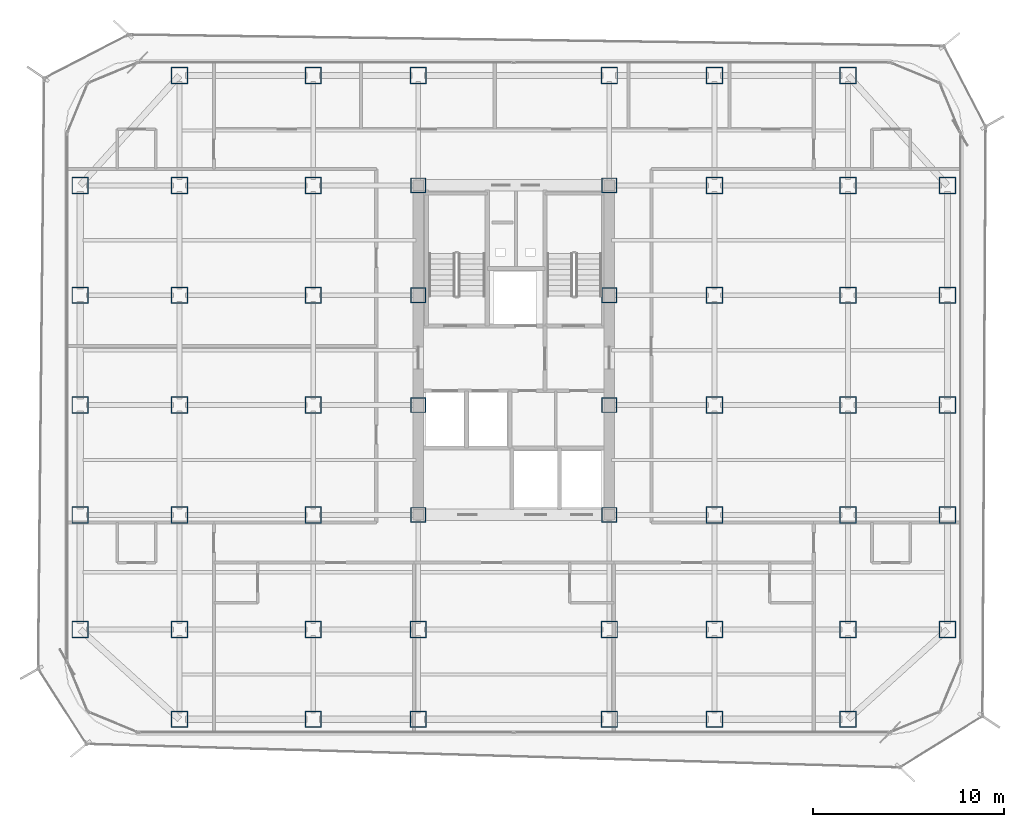
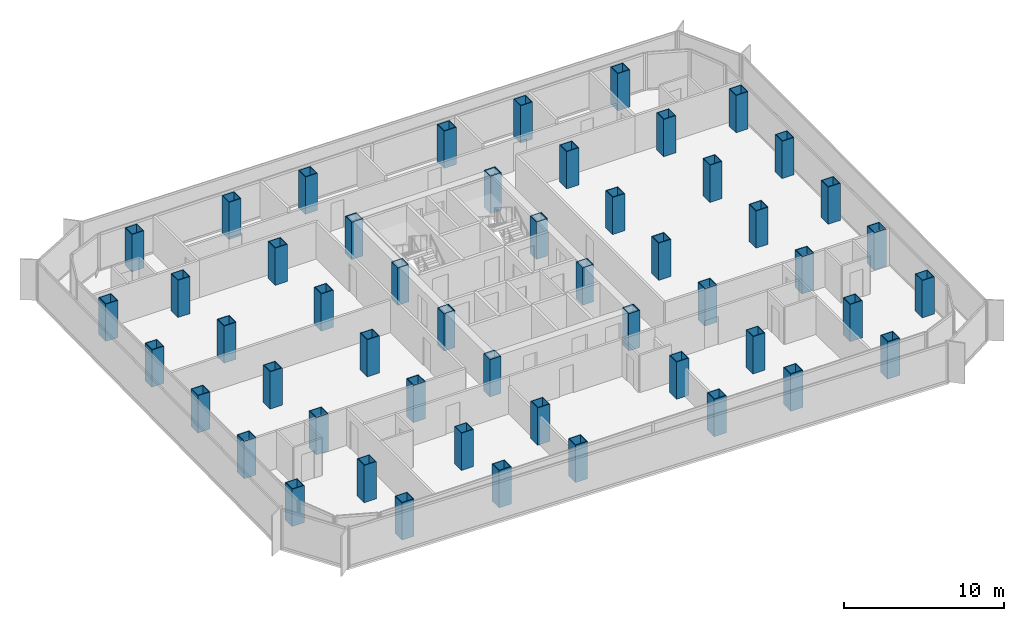
# One storey, part 1 of 21: 52 columns.
"""IFC4 building model written with IfcOpenShell, lengths in metres."""

from ifc_helpers import new_model, si_unit, direction, frame, origin, origin_2d, place, context, subcontext, project, spatial, hollow_rectangle, extrude, source, transform, mapped, material, material_profile, profile_set, type_object, element, save


model = new_model("IFC4")

# Units and contexts
model_context = context("Model", 3, precision=1e-05, world=origin(), true_north=direction((0.0, 1.0)))
body_context = subcontext(model_context, "Body", "Model", "MODEL_VIEW")
ifc_project = project(units=[si_unit("LENGTHUNIT", "METRE"), si_unit("AREAUNIT", "SQUARE_METRE"), si_unit("VOLUMEUNIT", "CUBIC_METRE"), si_unit("PLANEANGLEUNIT", "RADIAN"), si_unit("MASSUNIT", "GRAM", prefix="KILO")], contexts=[model_context])

# Site, building, storey
site_placement = place(None, origin())
site = spatial("IfcSite", under=ifc_project, at=site_placement, CompositionType="ELEMENT")
building_placement = place(site_placement, origin())
building = spatial("IfcBuilding", under=site, at=building_placement, Name="Kolveth Station Tower", CompositionType="ELEMENT")
storey_placement = place(building_placement, frame((0.0, 0.0, 148.39990234375)))
storey = spatial("IfcBuildingStorey", under=building, at=storey_placement, Name="L41", CompositionType="ELEMENT", Elevation=148.39990234375)

# Columns
ifc_material_1 = material(Name="Steel S460", Category="steel")
ifc_material_profile_1 = material_profile(ifc_material_1, hollow_rectangle(XDim=0.8798828125, YDim=0.8798828125, WallThickness=0.050048828125, at=origin_2d()), Name="BOX880x880x50")
ifc_profile_set_1 = profile_set([ifc_material_profile_1], Name="Steel S460")
column_type_1 = type_object("IfcColumnType", Name="Col_C4", PredefinedType="COLUMN", material=ifc_profile_set_1)
shared_shape_1 = source(origin(), body_context, "Body", "SweptSolid", [
    extrude(hollow_rectangle(XDim=0.8798828125, YDim=0.8798828125, WallThickness=0.050048828125, at=origin_2d()), origin(), (0.0, 0.0, 1.0), 2.840087890625),
])
for number, where, z_axis, x_axis, name in (
    (1, (6.0, 0.800048828125, 0.0), (0.0, 0.0, 1.0), (1.0, 0.0, 0.0), "L41 Tower Column S-X60"),
    (2, (6.0, 34.5, 0.0), (0.0, 0.0, 1.0), (1.0, 0.0, 0.0), "L41 Tower Column N-X60"),
    (3, (13.0, 0.800048828125, 0.0), (0.0, 0.0, 1.0), (1.0, 0.0, 0.0), "L41 Tower Column S-X130"),
    (4, (13.0, 34.5, 0.0), (0.0, 0.0, 1.0), (1.0, 0.0, 0.0), "L41 Tower Column N-X130"),
    (5, (18.5, 0.800048828125, 0.0), (0.0, 0.0, 1.0), (1.0, 0.0, 0.0), "L41 Tower Column S-X185"),
    (6, (18.5, 34.5, 0.0), (0.0, 0.0, 1.0), (1.0, 0.0, 0.0), "L41 Tower Column N-X185"),
    (7, (28.5, 0.800048828125, 0.0), (0.0, 0.0, 1.0), (1.0, 0.0, 0.0), "L41 Tower Column S-X285"),
    (8, (28.5, 34.5, 0.0), (0.0, 0.0, 1.0), (1.0, 0.0, 0.0), "L41 Tower Column N-X285"),
    (9, (34.0, 0.800048828125, 0.0), (0.0, 0.0, 1.0), (1.0, 0.0, 0.0), "L41 Tower Column S-X340"),
    (10, (34.0, 34.5, 0.0), (0.0, 0.0, 1.0), (1.0, 0.0, 0.0), "L41 Tower Column N-X340"),
    (11, (41.0, 0.800048828125, 0.0), (0.0, 0.0, 1.0), (1.0, 0.0, 0.0), "L41 Tower Column S-X410"),
    (12, (41.0, 34.5, 0.0), (0.0, 0.0, 1.0), (1.0, 0.0, 0.0), "L41 Tower Column N-X410"),
    (13, (0.800048828125, 5.5, 0.0), (0.0, 0.0, 1.0), (1.0, 0.0, 0.0), "L41 Tower Column W-Y55"),
    (14, (46.199951171875, 5.5, 0.0), (0.0, 0.0, 1.0), (1.0, 0.0, 0.0), "L41 Tower Column E-Y55"),
    (15, (0.800048828125, 11.5, 0.0), (0.0, 0.0, 1.0), (1.0, 0.0, 0.0), "L41 Tower Column W-Y115"),
    (16, (46.199951171875, 11.5, 0.0), (0.0, 0.0, 1.0), (1.0, 0.0, 0.0), "L41 Tower Column E-Y115"),
    (17, (0.800048828125, 17.25, 0.0), (0.0, 0.0, 1.0), (1.0, 0.0, 0.0), "L41 Tower Column W-Y172"),
    (18, (46.199951171875, 17.25, 0.0), (0.0, 0.0, 1.0), (1.0, 0.0, 0.0), "L41 Tower Column E-Y172"),
    (19, (0.800048828125, 23.0, 0.0), (0.0, 0.0, 1.0), (1.0, 0.0, 0.0), "L41 Tower Column W-Y230"),
    (20, (46.199951171875, 23.0, 0.0), (0.0, 0.0, 1.0), (1.0, 0.0, 0.0), "L41 Tower Column E-Y230"),
    (21, (0.800048828125, 28.75, 0.0), (0.0, 0.0, 1.0), (1.0, 0.0, 0.0), "L41 Tower Column W-Y287"),
    (22, (46.199951171875, 28.75, 0.0), (0.0, 0.0, 1.0), (1.0, 0.0, 0.0), "L41 Tower Column E-Y287"),
    (23, (6.0, 5.5, 0.0), (0.0, 0.0, 1.0), (1.0, 0.0, 0.0), "L41 Tower Column G-60-55"),
    (24, (6.0, 11.5, 0.0), (0.0, 0.0, 1.0), (1.0, 0.0, 0.0), "L41 Tower Column G-60-115"),
    (25, (6.0, 17.25, 0.0), (0.0, 0.0, 1.0), (1.0, 0.0, 0.0), "L41 Tower Column G-60-172"),
    (26, (6.0, 23.0, 0.0), (0.0, 0.0, 1.0), (1.0, 0.0, 0.0), "L41 Tower Column G-60-230"),
    (27, (6.0, 28.75, 0.0), (0.0, 0.0, 1.0), (1.0, 0.0, 0.0), "L41 Tower Column G-60-287"),
    (28, (13.0, 5.5, 0.0), (0.0, 0.0, 1.0), (1.0, 0.0, 0.0), "L41 Tower Column G-130-55"),
    (29, (13.0, 11.5, 0.0), (0.0, 0.0, 1.0), (1.0, 0.0, 0.0), "L41 Tower Column G-130-115"),
    (30, (13.0, 17.25, 0.0), (0.0, 0.0, 1.0), (1.0, 0.0, 0.0), "L41 Tower Column G-130-172"),
    (31, (13.0, 23.0, 0.0), (0.0, 0.0, 1.0), (1.0, 0.0, 0.0), "L41 Tower Column G-130-230"),
    (32, (13.0, 28.75, 0.0), (0.0, 0.0, 1.0), (1.0, 0.0, 0.0), "L41 Tower Column G-130-287"),
    (33, (18.5, 5.5, 0.0), (0.0, 0.0, 1.0), (1.0, 0.0, 0.0), "L41 Tower Column G-185-55"),
    (34, (28.5, 5.5, 0.0), (0.0, 0.0, 1.0), (1.0, 0.0, 0.0), "L41 Tower Column G-285-55"),
    (35, (34.0, 5.5, 0.0), (0.0, 0.0, 1.0), (1.0, 0.0, 0.0), "L41 Tower Column G-340-55"),
    (36, (34.0, 11.5, 0.0), (0.0, 0.0, 1.0), (1.0, 0.0, 0.0), "L41 Tower Column G-340-115"),
    (37, (34.0, 17.25, 0.0), (0.0, 0.0, 1.0), (1.0, 0.0, 0.0), "L41 Tower Column G-340-172"),
    (38, (34.0, 23.0, 0.0), (0.0, 0.0, 1.0), (1.0, 0.0, 0.0), "L41 Tower Column G-340-230"),
    (39, (34.0, 28.75, 0.0), (0.0, 0.0, 1.0), (1.0, 0.0, 0.0), "L41 Tower Column G-340-287"),
    (40, (41.0, 5.5, 0.0), (0.0, 0.0, 1.0), (1.0, 0.0, 0.0), "L41 Tower Column G-410-55"),
    (41, (41.0, 11.5, 0.0), (0.0, 0.0, 1.0), (1.0, 0.0, 0.0), "L41 Tower Column G-410-115"),
    (42, (41.0, 17.25, 0.0), (0.0, 0.0, 1.0), (1.0, 0.0, 0.0), "L41 Tower Column G-410-172"),
    (43, (41.0, 23.0, 0.0), (0.0, 0.0, 1.0), (1.0, 0.0, 0.0), "L41 Tower Column G-410-230"),
    (44, (41.0, 28.75, 0.0), (0.0, 0.0, 1.0), (1.0, 0.0, 0.0), "L41 Tower Column G-410-287"),
):
    element("IfcColumn", number, at=place(storey_placement, frame(where, z_axis=z_axis, x_axis=x_axis)), inside=storey, type_object=column_type_1, Name=name, PredefinedType="COLUMN", context=body_context, shape_type="MappedRepresentation", body=[
        mapped(shared_shape_1, transform((0.0, 0.0, 0.0), x_axis=(1.0, 0.0, 0.0), y_axis=(0.0, 1.0, 0.0), z_axis=(0.0, 0.0, 1.0), scale=1.0)),
    ])
ifc_material_2 = material(Name="Steel S355", Category="steel")
ifc_material_profile_2 = material_profile(ifc_material_2, hollow_rectangle(XDim=0.800048828125, YDim=0.800048828125, WallThickness=0.044921875, at=origin_2d()), Name="BOX800x800x45")
ifc_profile_set_2 = profile_set([ifc_material_profile_2], Name="Steel S355")
column_type_2 = type_object("IfcColumnType", Name="Col_C5", PredefinedType="COLUMN", material=ifc_profile_set_2)
shared_shape_2 = source(origin(), body_context, "Body", "SweptSolid", [
    extrude(hollow_rectangle(XDim=0.800048828125, YDim=0.800048828125, WallThickness=0.044921875, at=origin_2d()), origin(), (0.0, 0.0, 1.0), 2.840087890625),
])
for number, where, z_axis, x_axis, name in (
    (45, (18.5, 11.5, 0.0), (0.0, 0.0, 1.0), (1.0, 0.0, 0.0), "L41 Tower Column G-185-115"),
    (46, (18.5, 17.25, 0.0), (0.0, 0.0, 1.0), (1.0, 0.0, 0.0), "L41 Tower Column G-185-172"),
    (47, (18.5, 23.0, 0.0), (0.0, 0.0, 1.0), (1.0, 0.0, 0.0), "L41 Tower Column G-185-230"),
    (48, (18.5, 28.75, 0.0), (0.0, 0.0, 1.0), (1.0, 0.0, 0.0), "L41 Tower Column G-185-287"),
    (49, (28.5, 11.5, 0.0), (0.0, 0.0, 1.0), (1.0, 0.0, 0.0), "L41 Tower Column G-285-115"),
    (50, (28.5, 17.25, 0.0), (0.0, 0.0, 1.0), (1.0, 0.0, 0.0), "L41 Tower Column G-285-172"),
    (51, (28.5, 23.0, 0.0), (0.0, 0.0, 1.0), (1.0, 0.0, 0.0), "L41 Tower Column G-285-230"),
    (52, (28.5, 28.75, 0.0), (0.0, 0.0, 1.0), (1.0, 0.0, 0.0), "L41 Tower Column G-285-287"),
):
    element("IfcColumn", number, at=place(storey_placement, frame(where, z_axis=z_axis, x_axis=x_axis)), inside=storey, type_object=column_type_2, Name=name, PredefinedType="COLUMN", context=body_context, shape_type="MappedRepresentation", body=[
        mapped(shared_shape_2, transform((0.0, 0.0, 0.0), x_axis=(1.0, 0.0, 0.0), y_axis=(0.0, 1.0, 0.0), z_axis=(0.0, 0.0, 1.0), scale=1.0)),
    ])

save(model, "model.ifc")
